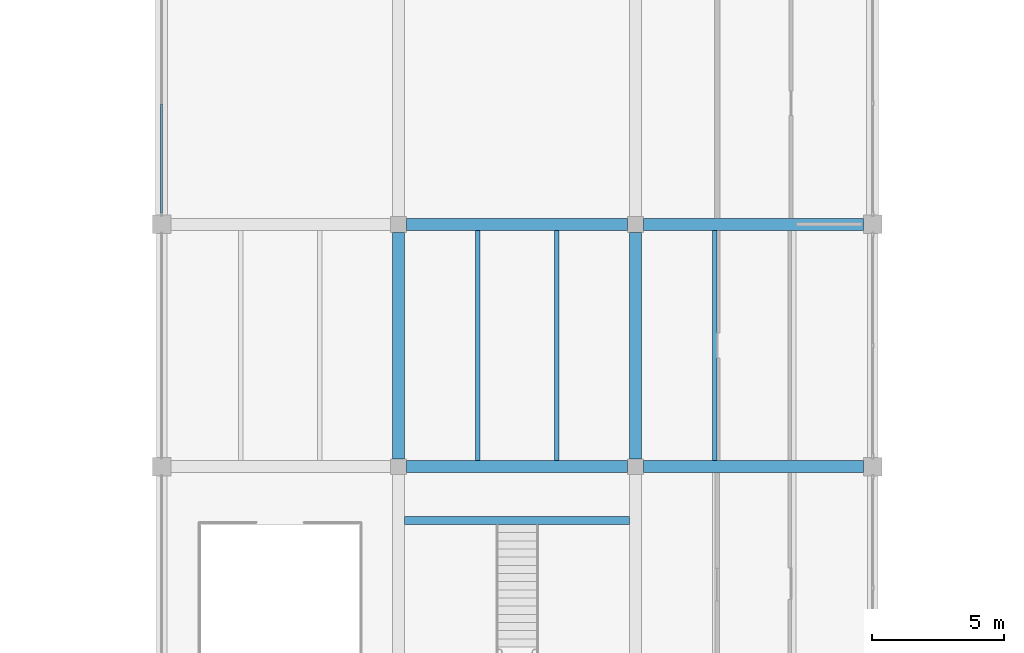
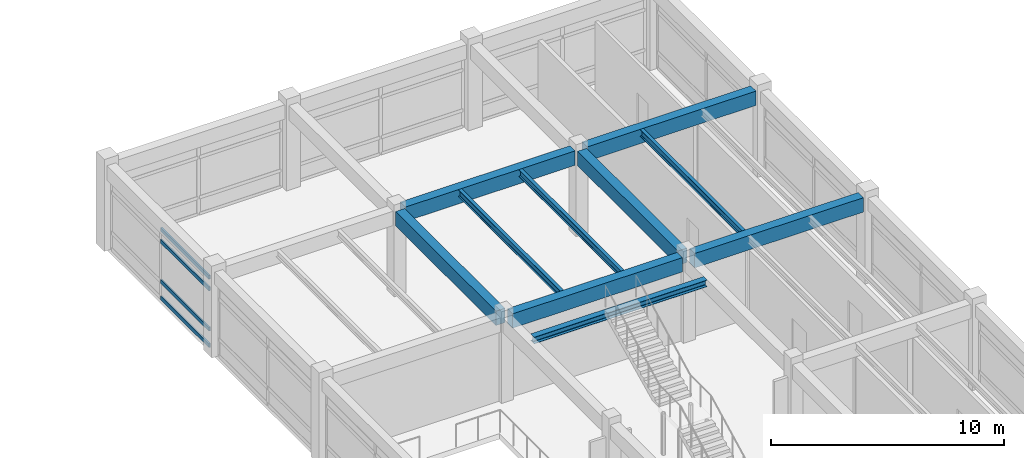
# One storey, part 34 of 90: 10 beams, 4 members, 1 element without a shape of its own.
"""IFC4 building model written with IfcOpenShell, lengths in metres."""

from ifc_helpers import new_model, si_unit, direction, frame, origin, origin_2d, place, context, subcontext, project, spatial, rectangle, i_section, extrude, material, material_profile, profile_set, type_object, element, aggregate, save


model = new_model("IFC4")

# Units and contexts
model_context = context("Model", 3, precision=1e-05, world=origin(), true_north=direction((0.0, 1.0)))
body_context = subcontext(model_context, "Body", "Model", "MODEL_VIEW")
ifc_project = project(units=[si_unit("LENGTHUNIT", "METRE"), si_unit("AREAUNIT", "SQUARE_METRE"), si_unit("VOLUMEUNIT", "CUBIC_METRE"), si_unit("PLANEANGLEUNIT", "RADIAN"), si_unit("MASSUNIT", "GRAM", prefix="KILO")], contexts=[model_context])

# Site, building, storey
site_placement = place(None, origin())
site = spatial("IfcSite", under=ifc_project, at=site_placement, CompositionType="ELEMENT")
building_placement = place(site_placement, origin())
building = spatial("IfcBuilding", under=site, at=building_placement, Name="Bozkorgan Art Gallery", CompositionType="ELEMENT")
storey_placement = place(building_placement, frame((0.0, 0.0, 5.39990234375)))
storey = spatial("IfcBuildingStorey", under=building, at=storey_placement, Name="L01", CompositionType="ELEMENT", Elevation=5.39990234375)

# Beams
ifc_material_1 = material(Name="Concrete C35/45", Category="concrete")
ifc_material_profile_1 = material_profile(ifc_material_1, rectangle(XDim=0.449951171875, YDim=0.75, at=origin_2d()), Name="RC 450x750")
ifc_profile_set_1 = profile_set([ifc_material_profile_1], Name="Concrete C35/45")
beam_type_1 = type_object("IfcBeamType", Name="BEAM-BM-27", PredefinedType="BEAM", material=ifc_profile_set_1)
beam_1_placement = place(storey_placement, frame((83.300048828125, 84.39990234375, 4.065185546875), z_axis=(1.0, 0.0, 0.0), x_axis=(0.0, 1.0, 0.0)))
element("IfcBeam", 1, at=beam_1_placement, inside=storey, type_object=beam_type_1, Name="V4 L01 beam X (83-92, 84.4)", PredefinedType="BEAM", context=body_context, shape_type="SweptSolid", body=[
    extrude(rectangle(XDim=0.449951171875, YDim=0.75, at=origin_2d()), origin(), (0.0, 0.0, 1.0), 8.39990234375),
])
beam_2_placement = place(storey_placement, frame((92.300048828125, 84.39990234375, 4.065185546875), z_axis=(1.0, 0.0, 0.0), x_axis=(0.0, 1.0, 0.0)))
element("IfcBeam", 2, at=beam_2_placement, inside=storey, type_object=beam_type_1, Name="V4 L01 beam X (92-101, 84.4)", PredefinedType="BEAM", context=body_context, shape_type="SweptSolid", body=[
    extrude(rectangle(XDim=0.449951171875, YDim=0.75, at=origin_2d()), origin(), (0.0, 0.0, 1.0), 8.349853515625),
])
beam_3_placement = place(storey_placement, frame((83.300048828125, 93.60009765625, 4.065185546875), z_axis=(1.0, 0.0, 0.0), x_axis=(0.0, 1.0, 0.0)))
element("IfcBeam", 3, at=beam_3_placement, inside=storey, type_object=beam_type_1, Name="V4 L01 beam X (83-92, 93.6)", PredefinedType="BEAM", context=body_context, shape_type="SweptSolid", body=[
    extrude(rectangle(XDim=0.449951171875, YDim=0.75, at=origin_2d()), origin(), (0.0, 0.0, 1.0), 8.39990234375),
])
beam_4_placement = place(storey_placement, frame((92.300048828125, 93.60009765625, 4.065185546875), z_axis=(1.0, 0.0, 0.0), x_axis=(0.0, 1.0, 0.0)))
element("IfcBeam", 4, at=beam_4_placement, inside=storey, type_object=beam_type_1, Name="V4 L01 beam X (92-101, 93.6)", PredefinedType="BEAM", context=body_context, shape_type="SweptSolid", body=[
    extrude(rectangle(XDim=0.449951171875, YDim=0.75, at=origin_2d()), origin(), (0.0, 0.0, 1.0), 8.349853515625),
])
for number, where, z_axis, x_axis, name in (
    (5, (83.0, 84.699951171875, 4.065185546875), (0.0, 1.0, 0.0), (-1.0, 0.0, 0.0), "V4 L01 beam Y (83, 84.4-93.6)"),
    (6, (92.0, 84.699951171875, 4.065185546875), (0.0, 1.0, 0.0), (-1.0, 0.0, 0.0), "V4 L01 beam Y (92, 84.4-93.6)"),
):
    element("IfcBeam", number, at=place(storey_placement, frame(where, z_axis=z_axis, x_axis=x_axis)), inside=storey, type_object=beam_type_1, Name=name, PredefinedType="BEAM", context=body_context, shape_type="SweptSolid", body=[
        extrude(rectangle(XDim=0.449951171875, YDim=0.75, at=origin_2d()), origin(), (0.0, 0.0, 1.0), 8.60009765625),
    ])
ifc_material_2 = material(Name="Steel S355J2", Category="steel")
ifc_material_profile_2 = material_profile(ifc_material_2, i_section(OverallWidth=0.169921875, OverallDepth=0.360107421875, WebThickness=0.008056640625, FlangeThickness=0.0126953125, FilletRadius=0.01806640625, at=origin_2d()), Name="IPE 360")
ifc_profile_set_2 = profile_set([ifc_material_profile_2], Name="Steel S355J2")
beam_type_2 = type_object("IfcBeamType", Name="BEAM-JS-98", PredefinedType="JOIST", material=ifc_profile_set_2)
for number, where, z_axis, x_axis, name in (
    (7, (86.0, 84.625, 4.260009765625), (0.0, 1.0, 0.0), (-1.0, 0.0, 0.0), "V4 L01 secondary joist (83-92, 84.4-93.6) #1"),
    (8, (89.0, 84.625, 4.260009765625), (0.0, 1.0, 0.0), (-1.0, 0.0, 0.0), "V4 L01 secondary joist (83-92, 84.4-93.6) #2"),
    (9, (95.0, 84.625, 4.260009765625), (0.0, 1.0, 0.0), (-1.0, 0.0, 0.0), "V4 L01 secondary joist (92-101, 84.4-93.6) #1"),
):
    element("IfcBeam", number, at=place(storey_placement, frame(where, z_axis=z_axis, x_axis=x_axis)), inside=storey, type_object=beam_type_2, Name=name, PredefinedType="JOIST", context=body_context, shape_type="SweptSolid", body=[
        extrude(i_section(OverallWidth=0.169921875, OverallDepth=0.360107421875, WebThickness=0.008056640625, FlangeThickness=0.0126953125, FilletRadius=0.01806640625, at=origin_2d()), origin(), (0.0, 0.0, 1.0), 8.75),
    ])
ifc_material_profile_3 = material_profile(ifc_material_2, i_section(OverallWidth=0.300048828125, OverallDepth=0.35009765625, WebThickness=0.010009765625, FlangeThickness=0.017578125, FilletRadius=0.027099609375, at=origin_2d()), Name="HEA 360")
ifc_profile_set_3 = profile_set([ifc_material_profile_3], Name="Steel S355J2")
beam_type_3 = type_object("IfcBeamType", Name="BM-ATR-TRIM", PredefinedType="BEAM", material=ifc_profile_set_3)
beam_5_placement = place(storey_placement, frame((83.22509765625, 82.35009765625, 4.26513671875), z_axis=(1.0, 0.0, 0.0), x_axis=(0.0, 1.0, 0.0)))
element("IfcBeam", 10, at=beam_5_placement, inside=storey, type_object=beam_type_3, Name="ST10 upper arrival trimmer beam", PredefinedType="BEAM", context=body_context, shape_type="SweptSolid", body=[
    extrude(i_section(OverallWidth=0.300048828125, OverallDepth=0.35009765625, WebThickness=0.010009765625, FlangeThickness=0.017578125, FilletRadius=0.027099609375, at=origin_2d()), origin(), (0.0, 0.0, 1.0), 8.5498046875),
])

# Curtain wall, members
ifc_material_3 = material(Name="Anodised Bronze Aluminium", Category="aluminium")
curtain_wall_type = type_object("IfcCurtainWallType", Name="CW-CW-16", PredefinedType="NOTDEFINED", material=ifc_material_3)
curtain_wall_placement = place(storey_placement, origin())
curtain_wall = element("IfcCurtainWall", 11, at=curtain_wall_placement, inside=storey, type_object=curtain_wall_type, Name="L01 unitised curtain wall CW-V4-L01-1W-19", PredefinedType="NOTDEFINED")
ifc_material_profile_4 = material_profile(ifc_material_3, rectangle(XDim=0.080078125, YDim=0.199951171875, at=origin_2d()), Name="ALU TRANSOM 80x200")
ifc_profile_set_4 = profile_set([ifc_material_profile_4], Name="Anodised Bronze Aluminium")
member_type = type_object("IfcMemberType", Name="CWT-03", PredefinedType="USERDEFINED", material=ifc_profile_set_4)
member_1_placement = place(storey_placement, frame((74.0, 94.030029296875, 0.06005859375), z_axis=(0.0, 1.0, 0.0), x_axis=(-1.0, 0.0, 0.0)))
member_1 = element("IfcMember", 12, at=member_1_placement, type_object=member_type, Name="CW-16 transom 1.1", ObjectType="TRANSOM", PredefinedType="USERDEFINED", context=body_context, shape_type="SweptSolid", body=[
    extrude(rectangle(XDim=0.080078125, YDim=0.199951171875, at=origin_2d()), origin(), (0.0, 0.0, 1.0), 4.137451171875),
])
member_2_placement = place(storey_placement, frame((74.0, 94.030029296875, 0.920166015625), z_axis=(0.0, 1.0, 0.0), x_axis=(-1.0, 0.0, 0.0)))
member_2 = element("IfcMember", 13, at=member_2_placement, type_object=member_type, Name="CW-16 transom 1.2", ObjectType="TRANSOM", PredefinedType="USERDEFINED", context=body_context, shape_type="SweptSolid", body=[
    extrude(rectangle(XDim=0.080078125, YDim=0.199951171875, at=origin_2d()), origin(), (0.0, 0.0, 1.0), 4.137451171875),
])
member_3_placement = place(storey_placement, frame((74.0, 94.030029296875, 3.025146484375), z_axis=(0.0, 1.0, 0.0), x_axis=(-1.0, 0.0, 0.0)))
member_3 = element("IfcMember", 14, at=member_3_placement, type_object=member_type, Name="CW-16 transom 1.3", ObjectType="TRANSOM", PredefinedType="USERDEFINED", context=body_context, shape_type="SweptSolid", body=[
    extrude(rectangle(XDim=0.080078125, YDim=0.199951171875, at=origin_2d()), origin(), (0.0, 0.0, 1.0), 4.137451171875),
])
member_4_placement = place(storey_placement, frame((74.0, 94.030029296875, 3.635009765625), z_axis=(0.0, 1.0, 0.0), x_axis=(-1.0, 0.0, 0.0)))
member_4 = element("IfcMember", 15, at=member_4_placement, type_object=member_type, Name="CW-16 transom 1.4", ObjectType="TRANSOM", PredefinedType="USERDEFINED", context=body_context, shape_type="SweptSolid", body=[
    extrude(rectangle(XDim=0.080078125, YDim=0.199951171875, at=origin_2d()), origin(), (0.0, 0.0, 1.0), 4.137451171875),
])
aggregate(curtain_wall, [member_1, member_2, member_3, member_4])

save(model, "model.ifc")
